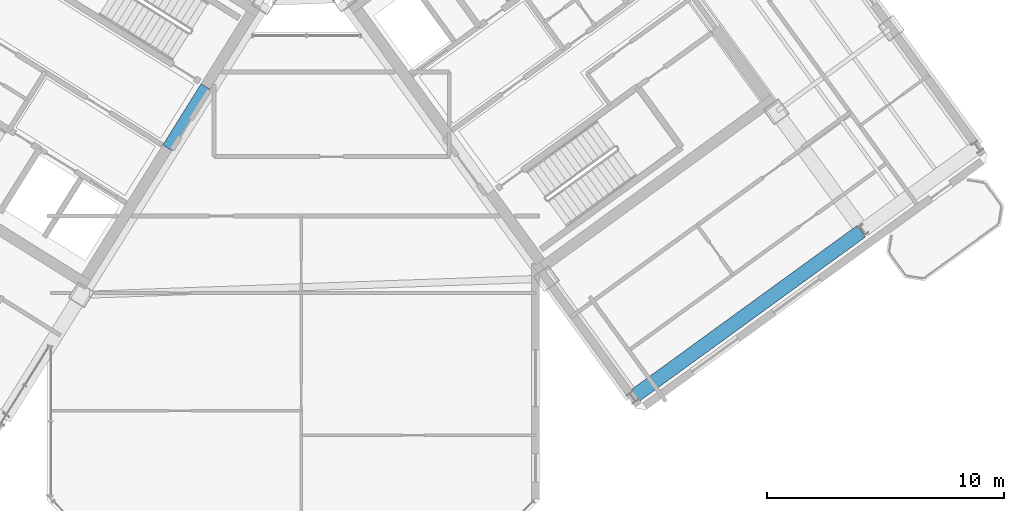
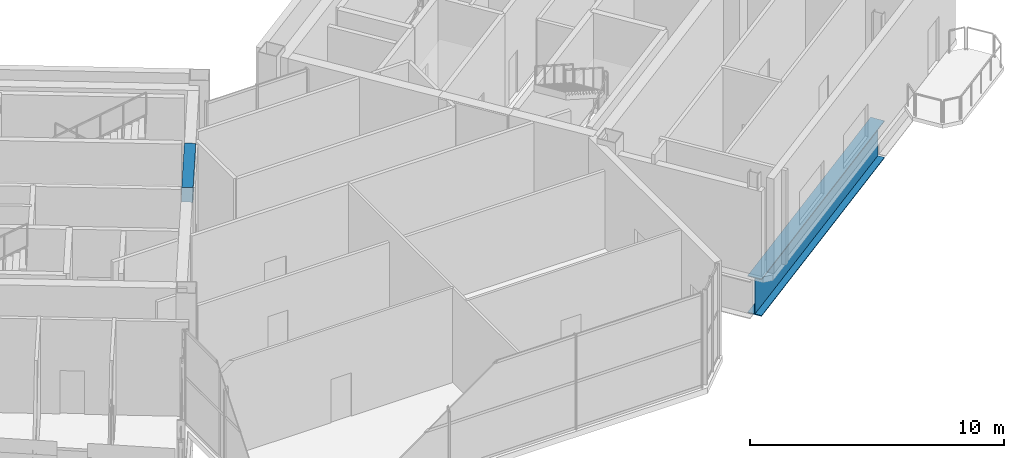
# One storey, part 11 of 26: 2 beams.
"""IFC4 building model written with IfcOpenShell, lengths in metres."""

import ifcopenshell
import ifcopenshell.guid

model = None  # the IFC model being written
_history = None  # IfcOwnerHistory: only IFC2X3 demands one
_inside = {}  # id of a spatial element -> (the spatial element, [elements in it])
_under = {}  # id of a project, library or spatial element -> (it, [spatial elements below it])
_declared = {}  # id of a project -> (the project, [libraries it declares])
_typed = {}  # id of a type object -> (the type object, [elements of that type])
_made_of = {}  # id of a material, layer set ... -> (it, [elements and type objects made of it])


def new_model(schema):
    """Start an empty IFC model of exactly this schema.

    Asked for "IFC4X3", IfcOpenShell would pick the latest addendum, in which some entities
    have other attributes; the version numbers below select the first issue.
    IFC2X3 requires an IfcOwnerHistory on every rooted entity: one is made here for all.
    """
    global model, _history
    if schema == "IFC4X3":
        model = ifcopenshell.file(schema_version=(4, 3, 0, 0))
    else:
        model = ifcopenshell.file(schema=schema)
    _inside.clear()
    _under.clear()
    _declared.clear()
    _typed.clear()
    _made_of.clear()
    _history = None
    if model.schema == "IFC2X3":
        org = make("IfcOrganization", Name="unknown")
        user = make(
            "IfcPersonAndOrganization",
            ThePerson=make("IfcPerson", FamilyName="unknown"),
            TheOrganization=org,
        )
        app = make(
            "IfcApplication",
            ApplicationDeveloper=org,
            Version="unknown",
            ApplicationFullName="unknown",
            ApplicationIdentifier="unknown",
        )
        _history = make(
            "IfcOwnerHistory",
            OwningUser=user,
            OwningApplication=app,
            ChangeAction="ADDED",
            CreationDate=0,
        )
    return model


def make(cls, **values):
    """One entity of the class cls with the attributes given. An attribute that is None is left unset."""
    return model.create_entity(
        cls, **{name: value for name, value in values.items() if value is not None}
    )


def rooted(cls, **values):
    """An entity with a GlobalId (a new one), such as an element, a storey or a relation."""
    return make(cls, GlobalId=ifcopenshell.guid.new(), OwnerHistory=_history, **values)


def si_unit(unit_type, name, prefix=None):
    """IfcSIUnit, for example si_unit("LENGTHUNIT", "METRE", prefix="MILLI")."""
    return make("IfcSIUnit", UnitType=unit_type, Prefix=prefix, Name=name)


def assignment(units):
    """IfcUnitAssignment: the units of a project."""
    return None if units is None else make("IfcUnitAssignment", Units=units)


def point(xyz):
    """IfcCartesianPoint."""
    return None if xyz is None else make("IfcCartesianPoint", Coordinates=xyz)


def direction(xyz):
    """IfcDirection."""
    return None if xyz is None else make("IfcDirection", DirectionRatios=xyz)


def frame(location, z_axis=None, x_axis=None):
    """IfcAxis2Placement3D, a coordinate frame: its origin and axes. An axis left out is left unset."""
    return make(
        "IfcAxis2Placement3D",
        Location=point(location),
        Axis=direction(z_axis),
        RefDirection=direction(x_axis),
    )


def frame_2d(location, x_axis=None):
    """IfcAxis2Placement2D, a coordinate frame in the plane: its origin and x axis."""
    return make(
        "IfcAxis2Placement2D", Location=point(location), RefDirection=direction(x_axis)
    )


def origin():
    """The frame at (0, 0, 0) with its axes left unset."""
    return frame((0.0, 0.0, 0.0))


def origin_2d():
    """The frame at (0, 0) in the plane with its x axis left unset."""
    return frame_2d((0.0, 0.0))


def place(relative_to, where):
    """IfcLocalPlacement: puts the frame where relative to a parent placement (None: the world)."""
    return make(
        "IfcLocalPlacement", PlacementRelTo=relative_to, RelativePlacement=where
    )


def context(
    kind, dimensions, precision=None, world=None, true_north=None, identifier=None
):
    """IfcGeometricRepresentationContext, for example the 3D "Model" context."""
    return make(
        "IfcGeometricRepresentationContext",
        ContextIdentifier=identifier,
        ContextType=kind,
        CoordinateSpaceDimension=dimensions,
        Precision=precision,
        WorldCoordinateSystem=world,
        TrueNorth=true_north,
    )


def subcontext(parent, identifier, kind, view, scale=None):
    """IfcGeometricRepresentationSubContext, for example "Body" below "Model"."""
    return make(
        "IfcGeometricRepresentationSubContext",
        ContextIdentifier=identifier,
        ContextType=kind,
        ParentContext=parent,
        TargetScale=scale,
        TargetView=view,
    )


def project(units=None, contexts=None):
    """IfcProject with its units and contexts."""
    return rooted(
        "IfcProject",
        Name="project",
        RepresentationContexts=contexts,
        UnitsInContext=assignment(units),
    )


def spatial(cls, under=None, at=None, **own):
    """A site, building, storey or space (cls), placed at a placement, below another one or the project."""
    s = rooted(cls, ObjectPlacement=at, **own)
    if under is not None:
        _under.setdefault(under.id(), (under, []))[1].append(s)
    return s


def profile(cls, at=None, kind="AREA", **sizes):
    """A parametric profile (cls). Its sizes go by their IFC names, for example OverallWidth=200.0."""
    return make(cls, ProfileType=kind, Position=at, **sizes)


def rectangle(**sizes):
    """IfcRectangleProfileDef."""
    return profile("IfcRectangleProfileDef", **sizes)


def i_section(**sizes):
    """IfcIShapeProfileDef."""
    return profile("IfcIShapeProfileDef", **sizes)


def extrude(swept, where, along, depth):
    """IfcExtrudedAreaSolid: the profile swept, set in the frame where, extruded along a direction by depth."""
    return make(
        "IfcExtrudedAreaSolid",
        SweptArea=swept,
        Position=where,
        ExtrudedDirection=direction(along),
        Depth=depth,
    )


def shape(context_of_items, identifier, shape_type, items):
    """IfcShapeRepresentation: the items that make up one representation, for example the "Body"."""
    return make(
        "IfcShapeRepresentation",
        ContextOfItems=context_of_items,
        RepresentationIdentifier=identifier,
        RepresentationType=shape_type,
        Items=items,
    )


def source(mapping_origin, context_of_items, identifier, shape_type, items):
    """IfcRepresentationMap: a shape defined once, which mapped items show again and again."""
    return make(
        "IfcRepresentationMap",
        MappingOrigin=mapping_origin,
        MappedRepresentation=shape(context_of_items, identifier, shape_type, items),
    )


def transform(
    local_origin,
    x_axis=None,
    y_axis=None,
    z_axis=None,
    scale=None,
    scale2=None,
    scale3=None,
    uniform=True,
):
    """IfcCartesianTransformationOperator3D, or its non-uniform kind. x_axis, y_axis, z_axis: its Axis1, 2, 3."""
    if uniform:
        return make(
            "IfcCartesianTransformationOperator3D",
            Axis1=direction(x_axis),
            Axis2=direction(y_axis),
            LocalOrigin=point(local_origin),
            Scale=scale,
            Axis3=direction(z_axis),
        )
    return make(
        "IfcCartesianTransformationOperator3DnonUniform",
        Axis1=direction(x_axis),
        Axis2=direction(y_axis),
        LocalOrigin=point(local_origin),
        Scale=scale,
        Axis3=direction(z_axis),
        Scale2=scale2,
        Scale3=scale3,
    )


def mapped(mapping_source, mapping_target):
    """IfcMappedItem: shows the shape of a source again, moved by a transform."""
    return make(
        "IfcMappedItem", MappingSource=mapping_source, MappingTarget=mapping_target
    )


def material(Name=None, Category=None):
    """IfcMaterial."""
    return make("IfcMaterial", Name=Name, Category=Category)


def material_profile(
    of_material, cross_section, Name=None, Category=None, Priority=None
):
    """IfcMaterialProfile: a cross section and its material."""
    return make(
        "IfcMaterialProfile",
        Name=Name,
        Material=of_material,
        Profile=cross_section,
        Priority=Priority,
        Category=Category,
    )


def profile_set(profiles, Name=None, composite=None):
    """IfcMaterialProfileSet."""
    return make(
        "IfcMaterialProfileSet",
        Name=Name,
        MaterialProfiles=profiles,
        CompositeProfile=composite,
    )


def made_of(thing, what):
    """Note that an element or type object is made of a material, layer set ...; save() writes the relation."""
    if what is not None:
        _made_of.setdefault(what.id(), (what, []))[1].append(thing)
    return thing


def type_object(cls, material=None, **own):
    """A type object (cls), such as IfcWallType, which elements share."""
    return made_of(rooted(cls, **own), material)


def element(
    cls,
    number,
    at=None,
    inside=None,
    cuts=None,
    type_object=None,
    material=None,
    context=None,
    identifier="Body",
    shape_type=None,
    held_by="IfcProductDefinitionShape",
    body=None,
    shapes=None,
    **own,
):
    """One element of the class cls, such as IfcWall. Its Tag is "e" and its number.

    at: its placement. inside: the storey or other place that contains it. cuts: it is an
    opening in that element (IfcRelVoidsElement). A single representation is given by context,
    identifier, shape_type and body (its items); several are given by shapes. held_by: the class
    of the entity that holds the representations. save() writes the other relations.
    """
    e = rooted(cls, Tag="e%d" % number, ObjectPlacement=at, **own)
    if body is not None:
        shapes = [shape(context, identifier, shape_type, body)]
    if shapes is not None:
        e.Representation = make(held_by, Representations=shapes)
    if inside is not None:
        _inside.setdefault(inside.id(), (inside, []))[1].append(e)
    if cuts is not None:
        rooted(
            "IfcRelVoidsElement", RelatingBuildingElement=cuts, RelatedOpeningElement=e
        )
    if type_object is not None:
        _typed.setdefault(type_object.id(), (type_object, []))[1].append(e)
    return made_of(e, material)


def aggregate(whole, parts):
    """IfcRelAggregates: a whole, such as a stair, and the parts it consists of."""
    return rooted("IfcRelAggregates", RelatingObject=whole, RelatedObjects=parts)


def save(model, path):
    """Write the relations noted so far, then the file.

    IfcRelAggregates (storeys below a building ...), IfcRelContainedInSpatialStructure (elements
    in a storey), IfcRelDefinesByType, IfcRelAssociatesMaterial and IfcRelDeclares: one each for
    every whole, place, type object, material and project.
    """
    for whole, parts in _under.values():
        aggregate(whole, parts)
    for where, things in _inside.values():
        rooted(
            "IfcRelContainedInSpatialStructure",
            RelatedElements=things,
            RelatingStructure=where,
        )
    for kind, things in _typed.values():
        rooted("IfcRelDefinesByType", RelatedObjects=things, RelatingType=kind)
    for what, things in _made_of.values():
        rooted("IfcRelAssociatesMaterial", RelatedObjects=things, RelatingMaterial=what)
    for by, libraries in _declared.values():
        rooted("IfcRelDeclares", RelatingContext=by, RelatedDefinitions=libraries)
    model.write(path)


model = new_model("IFC4")

# Units and contexts
model_context = context("Model", 3, precision=1e-05, world=origin(), true_north=direction((0.0, 1.0)))
body_context = subcontext(model_context, "Body", "Model", "MODEL_VIEW")
ifc_project = project(units=[si_unit("LENGTHUNIT", "METRE"), si_unit("AREAUNIT", "SQUARE_METRE"), si_unit("VOLUMEUNIT", "CUBIC_METRE"), si_unit("PLANEANGLEUNIT", "RADIAN"), si_unit("MASSUNIT", "GRAM", prefix="KILO")], contexts=[model_context])

# Site, building, storey
site_placement = place(None, origin())
site = spatial("IfcSite", under=ifc_project, at=site_placement, CompositionType="ELEMENT")
building_placement = place(site_placement, origin())
building = spatial("IfcBuilding", under=site, at=building_placement, Name="Tlacorven Tower", CompositionType="ELEMENT")
storey_placement = place(building_placement, frame((0.0, 0.0, 233.699951171875)))
storey = spatial("IfcBuildingStorey", under=building, at=storey_placement, Name="L59", CompositionType="ELEMENT", Elevation=233.699951171875)

# Beams
ifc_material_1 = material(Name="Concrete C60/75", Category="concrete")
ifc_material_profile_1 = material_profile(ifc_material_1, rectangle(XDim=0.449951171875, YDim=0.699951171875, at=origin_2d()), Name="RC 450X700")
ifc_profile_set_1 = profile_set([ifc_material_profile_1], Name="Concrete C60/75")
beam_type_1 = type_object("IfcBeamType", Name="BM-LNT-700", PredefinedType="LINTEL", material=ifc_profile_set_1)
shared_shape_1 = source(origin(), body_context, "Body", "SweptSolid", [
    extrude(rectangle(XDim=0.449951171875, YDim=0.699951171875, at=origin_2d()), origin(), (0.0, 0.0, 1.0), 3.050048828125),
])
beam_1_placement = place(storey_placement, frame((38.2998046875, 20.890625, 4.199951171875), z_axis=(-0.529984549635, -0.848007297815, 0.0), x_axis=(0.848007297815, -0.529984549635, 0.0)))
element("IfcBeam", 1, at=beam_1_placement, inside=storey, type_object=beam_type_1, Name="L59 W core coupling lintel beam E1", PredefinedType="LINTEL", context=body_context, shape_type="MappedRepresentation", body=[
    mapped(shared_shape_1, transform((0.0, 0.0, 0.0), scale=1.0)),
])
ifc_material_2 = material(Name="Steel S460M", Category="steel")
ifc_material_profile_2 = material_profile(ifc_material_2, i_section(OverallWidth=0.60009765625, OverallDepth=1.800048828125, WebThickness=0.028076171875, FlangeThickness=0.0400390625, at=origin_2d()), Name="PG 1800X600X28X40")
ifc_profile_set_2 = profile_set([ifc_material_profile_2], Name="Steel S460M")
beam_type_2 = type_object("IfcBeamType", Name="BM-TRG-1800", PredefinedType="USERDEFINED", material=ifc_profile_set_2)
shared_shape_2 = source(origin(), body_context, "Body", "SweptSolid", [
    extrude(i_section(OverallWidth=0.60009765625, OverallDepth=1.800048828125, WebThickness=0.028076171875, FlangeThickness=0.0400390625, at=origin_2d()), origin(), (0.0, 0.0, 1.0), 11.89990234375),
])
beam_2_placement = place(storey_placement, frame((56.39013671875, 7.786865234375, -1.179931640625), z_axis=(0.809014570063, 0.587788589057, 0.0), x_axis=(-0.587788589057, 0.809014570063, 0.0)))
element("IfcBeam", 2, at=beam_2_placement, inside=storey, type_object=beam_type_2, Name="L59 beam BM-L59-EL1-1", ObjectType="TRANSFER GIRDER", PredefinedType="USERDEFINED", context=body_context, shape_type="MappedRepresentation", body=[
    mapped(shared_shape_2, transform((0.0, 0.0, 0.0), scale=1.0)),
])

save(model, "model.ifc")
